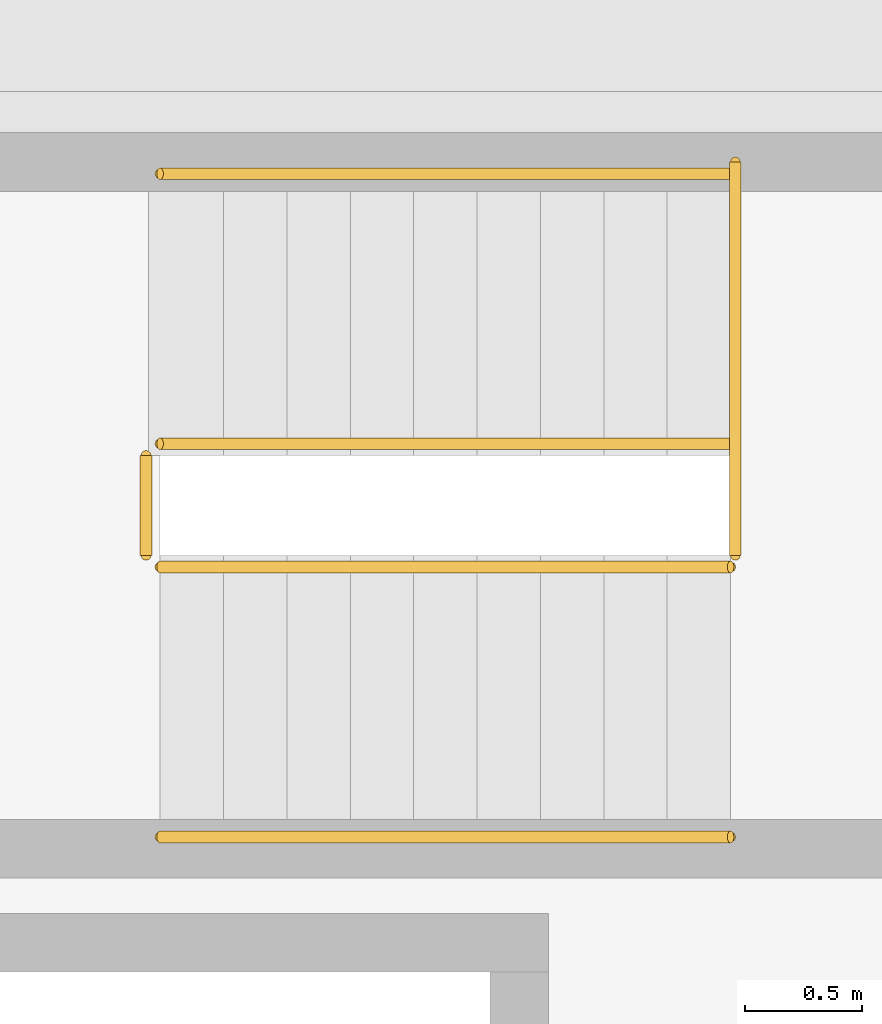
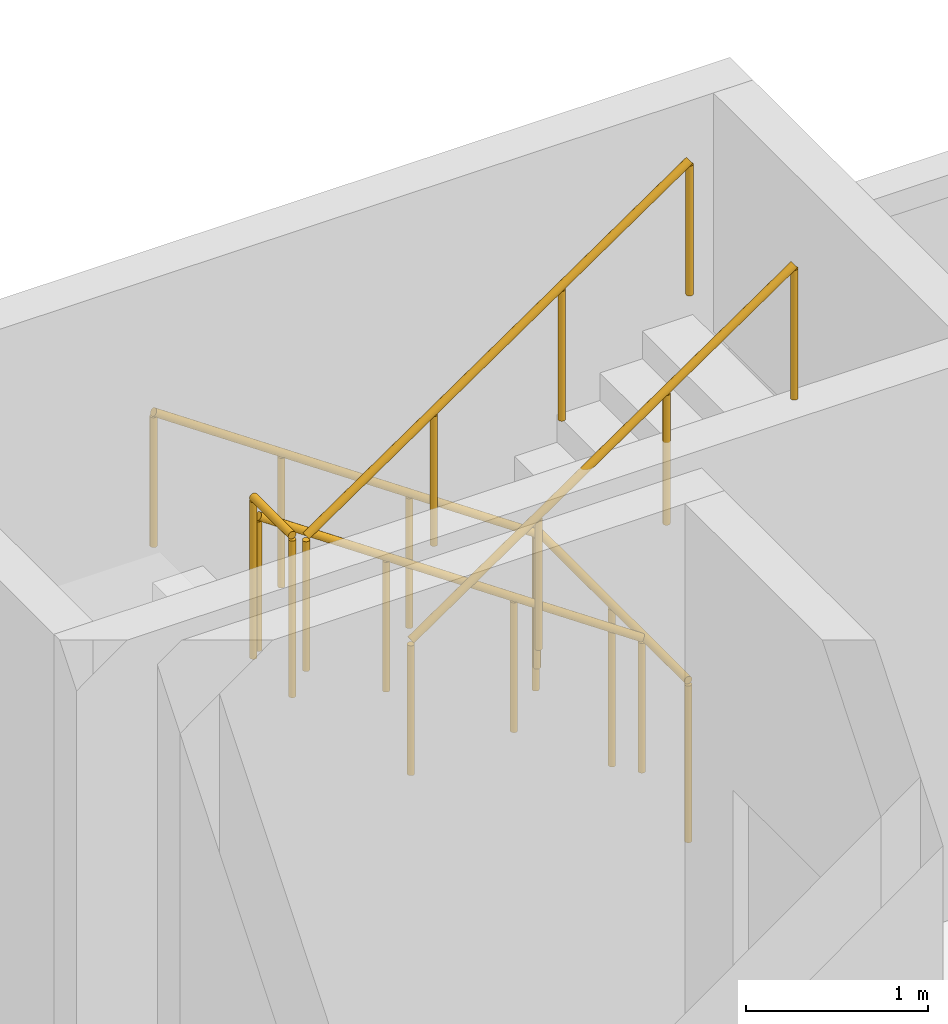
# One storey, part 49 of 61: 6 railings.
"""IFC4 building model written with IfcOpenShell, lengths in metres."""

from ifc_helpers import new_model, si_unit, direction, frame, origin, origin_2d, place, context, subcontext, project, spatial, circle, extrude, material, type_object, element, save


model = new_model("IFC4")

# Units and contexts
model_context = context("Model", 3, precision=1e-05, world=origin(), true_north=direction((0.0, 1.0)))
body_context = subcontext(model_context, "Body", "Model", "MODEL_VIEW")
ifc_project = project(units=[si_unit("LENGTHUNIT", "METRE"), si_unit("AREAUNIT", "SQUARE_METRE"), si_unit("VOLUMEUNIT", "CUBIC_METRE"), si_unit("PLANEANGLEUNIT", "RADIAN"), si_unit("MASSUNIT", "GRAM", prefix="KILO")], contexts=[model_context])

# Site, building, storey
site_placement = place(None, origin())
site = spatial("IfcSite", under=ifc_project, at=site_placement, CompositionType="ELEMENT")
building_placement = place(site_placement, origin())
building = spatial("IfcBuilding", under=site, at=building_placement, Name="Cour d'Honneur Mobility Palace", CompositionType="ELEMENT")
storey_placement = place(building_placement, frame((0.0, 0.0, 11.89990234375)))
storey = spatial("IfcBuildingStorey", under=building, at=storey_placement, Name="L03", CompositionType="ELEMENT", Elevation=11.89990234375)

# Railings
ifc_material_1 = material(Name="Painted steel", Category="steel")
railing_type_1 = type_object("IfcRailingType", Name="Guardrail 1100", PredefinedType="GUARDRAIL", material=ifc_material_1)
railing_1_placement = place(storey_placement, frame((5.1201171875, 112.64990234375, 0.0)))
element("IfcRailing", 1, at=railing_1_placement, inside=storey, type_object=railing_type_1, Name="Guard ST-NW1", PredefinedType="GUARDRAIL", context=body_context, shape_type="SweptSolid", body=[
    extrude(circle(Radius=0.02490234375, at=origin_2d()), frame((0.0, 0.0, 1.0751953125), z_axis=(0.0, 1.0, 0.0), x_axis=(-1.0, 0.0, 0.0)), (0.0, 0.0, 1.0), 1.675048828125),
    extrude(circle(Radius=0.02099609375, at=origin_2d()), origin(), (0.0, 0.0, 1.0), 1.050048828125),
    extrude(circle(Radius=0.02099609375, at=origin_2d()), frame((0.0, 0.83740234375, 0.0)), (0.0, 0.0, 1.0), 1.050048828125),
    extrude(circle(Radius=0.02099609375, at=origin_2d()), frame((0.0, 1.675048828125, 0.0)), (0.0, 0.0, 1.0), 1.050048828125),
])
railing_2_placement = place(storey_placement, frame((2.610107421875, 112.64990234375, 1.85009765625)))
element("IfcRailing", 2, at=railing_2_placement, inside=storey, type_object=railing_type_1, Name="Landing guard ST-NW1", PredefinedType="GUARDRAIL", context=body_context, shape_type="SweptSolid", body=[
    extrude(circle(Radius=0.02490234375, at=origin_2d()), frame((0.0, 0.0, 1.0751953125), z_axis=(0.0, 1.0, 0.0), x_axis=(-1.0, 0.0, 0.0)), (0.0, 0.0, 1.0), 0.425048828125),
    extrude(circle(Radius=0.02099609375, at=origin_2d()), origin(), (0.0, 0.0, 1.0), 1.050048828125),
    extrude(circle(Radius=0.02099609375, at=origin_2d()), frame((0.0, 0.425048828125, 0.0)), (0.0, 0.0, 1.0), 1.050048828125),
])
ifc_material_2 = material(Name="Stainless steel", Category="steel")
railing_type_2 = type_object("IfcRailingType", Name="Handrail round 50", PredefinedType="HANDRAIL", material=ifc_material_2)
for number, where, name in (
    (3, (5.10009765625, 114.27490234375, 0.18505859375), "Handrail ST-NW1"),
    (4, (5.10009765625, 113.125, 0.18505859375), "Handrail ST-NW1"),
):
    element("IfcRailing", number, at=place(storey_placement, frame(where)), inside=storey, type_object=railing_type_2, Name=name, PredefinedType="HANDRAIL", context=body_context, shape_type="SweptSolid", body=[
        extrude(circle(Radius=0.02490234375, at=origin_2d()), frame((0.0, 0.0, 0.89501953125), z_axis=(-0.824945253146, 0.0, 0.565212640793), x_axis=(0.0, -1.0, 0.0)), (0.0, 0.0, 1.0), 2.94580078125),
        extrude(circle(Radius=0.02099609375, at=origin_2d()), origin(), (0.0, 0.0, 1.0), 0.869873046875),
        extrude(circle(Radius=0.02099609375, at=origin_2d()), frame((-0.81005859375, 0.0, 0.554931640625)), (0.0, 0.0, 1.0), 0.869873046875),
        extrude(circle(Radius=0.02099609375, at=origin_2d()), frame((-1.6201171875, 0.0, 1.110107421875)), (0.0, 0.0, 1.0), 0.869873046875),
        extrude(circle(Radius=0.02099609375, at=origin_2d()), frame((-2.43017578125, 0.0, 1.6650390625)), (0.0, 0.0, 1.0), 0.869873046875),
    ])
for number, where, name in (
    (5, (2.669921875, 112.60009765625, 2.03515625), "Handrail ST-NW1"),
    (6, (2.669921875, 111.449951171875, 2.03515625), "Handrail ST-NW1"),
):
    element("IfcRailing", number, at=place(storey_placement, frame(where)), inside=storey, type_object=railing_type_2, Name=name, PredefinedType="HANDRAIL", context=body_context, shape_type="SweptSolid", body=[
        extrude(circle(Radius=0.02490234375, at=origin_2d()), frame((0.0, 0.0, 0.89501953125), z_axis=(0.824945253146, 0.0, 0.565212640793), x_axis=(0.0, 1.0, 0.0)), (0.0, 0.0, 1.0), 2.94580078125),
        extrude(circle(Radius=0.02099609375, at=origin_2d()), origin(), (0.0, 0.0, 1.0), 0.869873046875),
        extrude(circle(Radius=0.02099609375, at=origin_2d()), frame((0.81005859375, 0.0, 0.554931640625)), (0.0, 0.0, 1.0), 0.869873046875),
        extrude(circle(Radius=0.02099609375, at=origin_2d()), frame((1.6201171875, 0.0, 1.110107421875)), (0.0, 0.0, 1.0), 0.869873046875),
        extrude(circle(Radius=0.02099609375, at=origin_2d()), frame((2.43017578125, 0.0, 1.6650390625)), (0.0, 0.0, 1.0), 0.869873046875),
    ])

save(model, "model.ifc")
